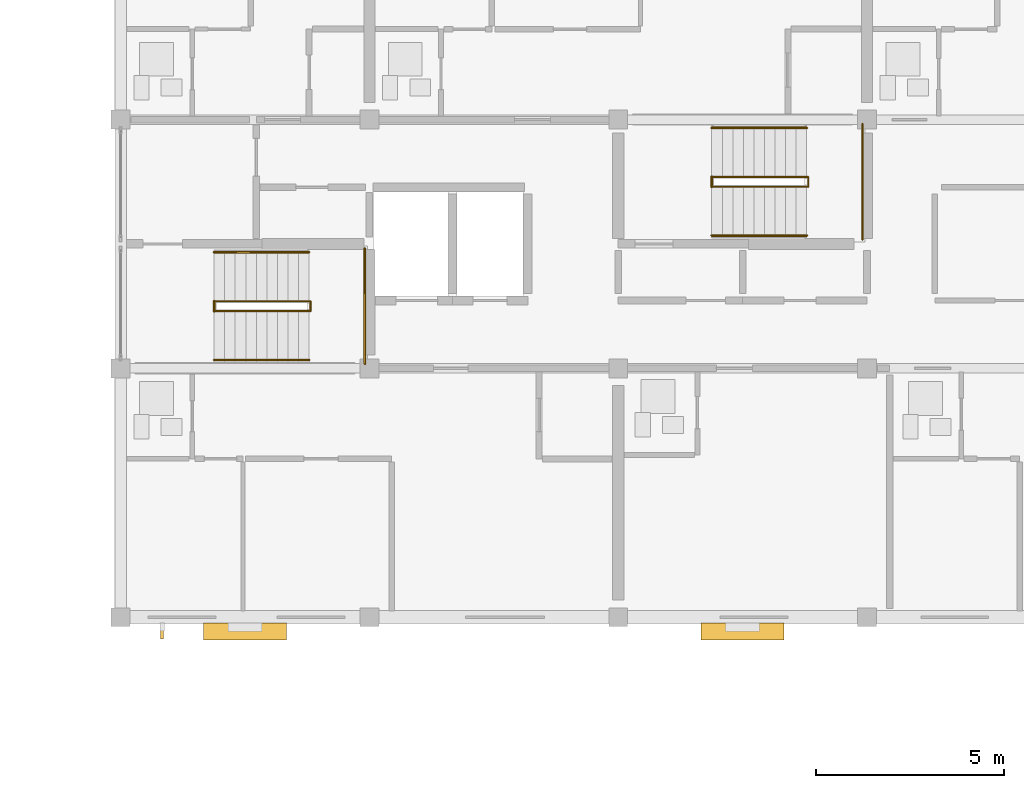
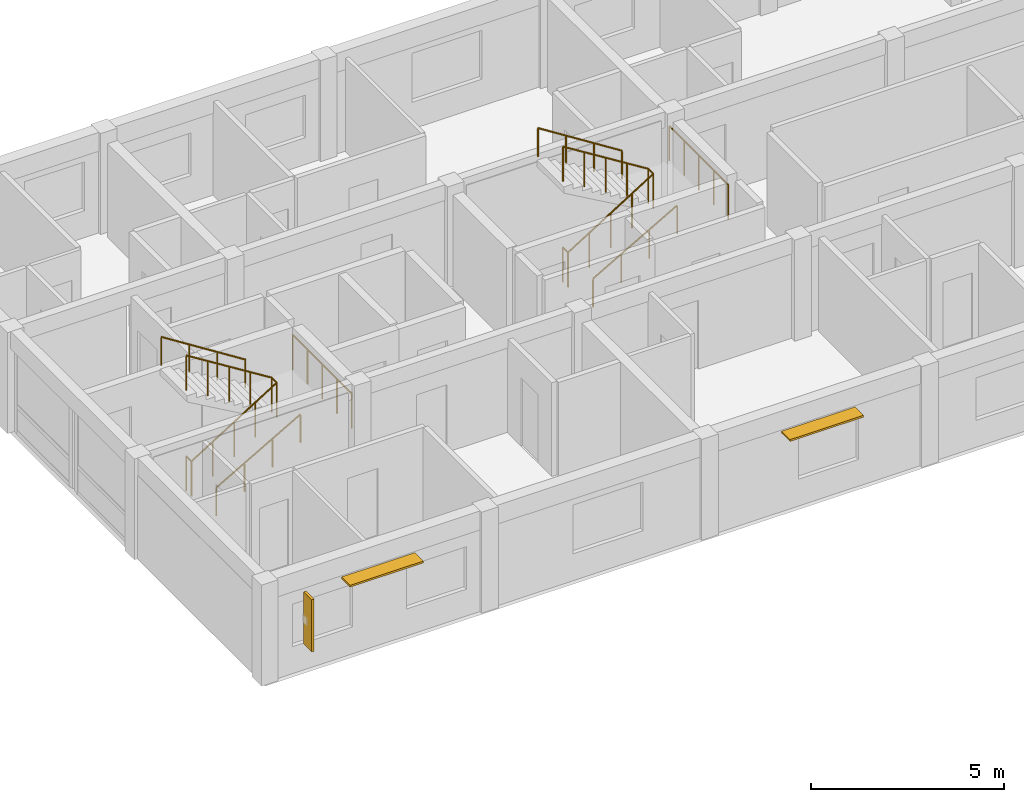
# One storey, part 51 of 53: 10 railings, 3 shading devices.
"""IFC4 building model written with IfcOpenShell, lengths in metres."""

import ifcopenshell
import ifcopenshell.guid

model = None  # the IFC model being written
_history = None  # IfcOwnerHistory: only IFC2X3 demands one
_inside = {}  # id of a spatial element -> (the spatial element, [elements in it])
_under = {}  # id of a project, library or spatial element -> (it, [spatial elements below it])
_declared = {}  # id of a project -> (the project, [libraries it declares])
_typed = {}  # id of a type object -> (the type object, [elements of that type])
_made_of = {}  # id of a material, layer set ... -> (it, [elements and type objects made of it])


def new_model(schema):
    """Start an empty IFC model of exactly this schema.

    Asked for "IFC4X3", IfcOpenShell would pick the latest addendum, in which some entities
    have other attributes; the version numbers below select the first issue.
    IFC2X3 requires an IfcOwnerHistory on every rooted entity: one is made here for all.
    """
    global model, _history
    if schema == "IFC4X3":
        model = ifcopenshell.file(schema_version=(4, 3, 0, 0))
    else:
        model = ifcopenshell.file(schema=schema)
    _inside.clear()
    _under.clear()
    _declared.clear()
    _typed.clear()
    _made_of.clear()
    _history = None
    if model.schema == "IFC2X3":
        org = make("IfcOrganization", Name="unknown")
        user = make(
            "IfcPersonAndOrganization",
            ThePerson=make("IfcPerson", FamilyName="unknown"),
            TheOrganization=org,
        )
        app = make(
            "IfcApplication",
            ApplicationDeveloper=org,
            Version="unknown",
            ApplicationFullName="unknown",
            ApplicationIdentifier="unknown",
        )
        _history = make(
            "IfcOwnerHistory",
            OwningUser=user,
            OwningApplication=app,
            ChangeAction="ADDED",
            CreationDate=0,
        )
    return model


def make(cls, **values):
    """One entity of the class cls with the attributes given. An attribute that is None is left unset."""
    return model.create_entity(
        cls, **{name: value for name, value in values.items() if value is not None}
    )


def rooted(cls, **values):
    """An entity with a GlobalId (a new one), such as an element, a storey or a relation."""
    return make(cls, GlobalId=ifcopenshell.guid.new(), OwnerHistory=_history, **values)


def si_unit(unit_type, name, prefix=None):
    """IfcSIUnit, for example si_unit("LENGTHUNIT", "METRE", prefix="MILLI")."""
    return make("IfcSIUnit", UnitType=unit_type, Prefix=prefix, Name=name)


def assignment(units):
    """IfcUnitAssignment: the units of a project."""
    return None if units is None else make("IfcUnitAssignment", Units=units)


def point(xyz):
    """IfcCartesianPoint."""
    return None if xyz is None else make("IfcCartesianPoint", Coordinates=xyz)


def direction(xyz):
    """IfcDirection."""
    return None if xyz is None else make("IfcDirection", DirectionRatios=xyz)


def frame(location, z_axis=None, x_axis=None):
    """IfcAxis2Placement3D, a coordinate frame: its origin and axes. An axis left out is left unset."""
    return make(
        "IfcAxis2Placement3D",
        Location=point(location),
        Axis=direction(z_axis),
        RefDirection=direction(x_axis),
    )


def frame_2d(location, x_axis=None):
    """IfcAxis2Placement2D, a coordinate frame in the plane: its origin and x axis."""
    return make(
        "IfcAxis2Placement2D", Location=point(location), RefDirection=direction(x_axis)
    )


def origin():
    """The frame at (0, 0, 0) with its axes left unset."""
    return frame((0.0, 0.0, 0.0))


def origin_2d():
    """The frame at (0, 0) in the plane with its x axis left unset."""
    return frame_2d((0.0, 0.0))


def place(relative_to, where):
    """IfcLocalPlacement: puts the frame where relative to a parent placement (None: the world)."""
    return make(
        "IfcLocalPlacement", PlacementRelTo=relative_to, RelativePlacement=where
    )


def context(
    kind, dimensions, precision=None, world=None, true_north=None, identifier=None
):
    """IfcGeometricRepresentationContext, for example the 3D "Model" context."""
    return make(
        "IfcGeometricRepresentationContext",
        ContextIdentifier=identifier,
        ContextType=kind,
        CoordinateSpaceDimension=dimensions,
        Precision=precision,
        WorldCoordinateSystem=world,
        TrueNorth=true_north,
    )


def subcontext(parent, identifier, kind, view, scale=None):
    """IfcGeometricRepresentationSubContext, for example "Body" below "Model"."""
    return make(
        "IfcGeometricRepresentationSubContext",
        ContextIdentifier=identifier,
        ContextType=kind,
        ParentContext=parent,
        TargetScale=scale,
        TargetView=view,
    )


def project(units=None, contexts=None):
    """IfcProject with its units and contexts."""
    return rooted(
        "IfcProject",
        Name="project",
        RepresentationContexts=contexts,
        UnitsInContext=assignment(units),
    )


def spatial(cls, under=None, at=None, **own):
    """A site, building, storey or space (cls), placed at a placement, below another one or the project."""
    s = rooted(cls, ObjectPlacement=at, **own)
    if under is not None:
        _under.setdefault(under.id(), (under, []))[1].append(s)
    return s


def profile(cls, at=None, kind="AREA", **sizes):
    """A parametric profile (cls). Its sizes go by their IFC names, for example OverallWidth=200.0."""
    return make(cls, ProfileType=kind, Position=at, **sizes)


def rectangle(**sizes):
    """IfcRectangleProfileDef."""
    return profile("IfcRectangleProfileDef", **sizes)


def circle(**sizes):
    """IfcCircleProfileDef."""
    return profile("IfcCircleProfileDef", **sizes)


def extrude(swept, where, along, depth):
    """IfcExtrudedAreaSolid: the profile swept, set in the frame where, extruded along a direction by depth."""
    return make(
        "IfcExtrudedAreaSolid",
        SweptArea=swept,
        Position=where,
        ExtrudedDirection=direction(along),
        Depth=depth,
    )


def shape(context_of_items, identifier, shape_type, items):
    """IfcShapeRepresentation: the items that make up one representation, for example the "Body"."""
    return make(
        "IfcShapeRepresentation",
        ContextOfItems=context_of_items,
        RepresentationIdentifier=identifier,
        RepresentationType=shape_type,
        Items=items,
    )


def material(Name=None, Category=None):
    """IfcMaterial."""
    return make("IfcMaterial", Name=Name, Category=Category)


def layer(
    of_material, thickness, ventilated=None, Name=None, Category=None, Priority=None
):
    """IfcMaterialLayer: one layer of a wall or slab, of a material (None: an air gap)."""
    return make(
        "IfcMaterialLayer",
        Material=of_material,
        LayerThickness=thickness,
        IsVentilated=ventilated,
        Name=Name,
        Category=Category,
        Priority=Priority,
    )


def layer_set(layers, Name=None):
    """IfcMaterialLayerSet."""
    return make("IfcMaterialLayerSet", MaterialLayers=layers, LayerSetName=Name)


def made_of(thing, what):
    """Note that an element or type object is made of a material, layer set ...; save() writes the relation."""
    if what is not None:
        _made_of.setdefault(what.id(), (what, []))[1].append(thing)
    return thing


def type_object(cls, material=None, **own):
    """A type object (cls), such as IfcWallType, which elements share."""
    return made_of(rooted(cls, **own), material)


def element(
    cls,
    number,
    at=None,
    inside=None,
    cuts=None,
    type_object=None,
    material=None,
    context=None,
    identifier="Body",
    shape_type=None,
    held_by="IfcProductDefinitionShape",
    body=None,
    shapes=None,
    **own,
):
    """One element of the class cls, such as IfcWall. Its Tag is "e" and its number.

    at: its placement. inside: the storey or other place that contains it. cuts: it is an
    opening in that element (IfcRelVoidsElement). A single representation is given by context,
    identifier, shape_type and body (its items); several are given by shapes. held_by: the class
    of the entity that holds the representations. save() writes the other relations.
    """
    e = rooted(cls, Tag="e%d" % number, ObjectPlacement=at, **own)
    if body is not None:
        shapes = [shape(context, identifier, shape_type, body)]
    if shapes is not None:
        e.Representation = make(held_by, Representations=shapes)
    if inside is not None:
        _inside.setdefault(inside.id(), (inside, []))[1].append(e)
    if cuts is not None:
        rooted(
            "IfcRelVoidsElement", RelatingBuildingElement=cuts, RelatedOpeningElement=e
        )
    if type_object is not None:
        _typed.setdefault(type_object.id(), (type_object, []))[1].append(e)
    return made_of(e, material)


def aggregate(whole, parts):
    """IfcRelAggregates: a whole, such as a stair, and the parts it consists of."""
    return rooted("IfcRelAggregates", RelatingObject=whole, RelatedObjects=parts)


def save(model, path):
    """Write the relations noted so far, then the file.

    IfcRelAggregates (storeys below a building ...), IfcRelContainedInSpatialStructure (elements
    in a storey), IfcRelDefinesByType, IfcRelAssociatesMaterial and IfcRelDeclares: one each for
    every whole, place, type object, material and project.
    """
    for whole, parts in _under.values():
        aggregate(whole, parts)
    for where, things in _inside.values():
        rooted(
            "IfcRelContainedInSpatialStructure",
            RelatedElements=things,
            RelatingStructure=where,
        )
    for kind, things in _typed.values():
        rooted("IfcRelDefinesByType", RelatedObjects=things, RelatingType=kind)
    for what, things in _made_of.values():
        rooted("IfcRelAssociatesMaterial", RelatedObjects=things, RelatingMaterial=what)
    for by, libraries in _declared.values():
        rooted("IfcRelDeclares", RelatingContext=by, RelatedDefinitions=libraries)
    model.write(path)


model = new_model("IFC4")

# Units and contexts
model_context = context("Model", 3, precision=1e-05, world=origin(), true_north=direction((0.0, 1.0)))
body_context = subcontext(model_context, "Body", "Model", "MODEL_VIEW")
ifc_project = project(units=[si_unit("LENGTHUNIT", "METRE"), si_unit("AREAUNIT", "SQUARE_METRE"), si_unit("VOLUMEUNIT", "CUBIC_METRE"), si_unit("PLANEANGLEUNIT", "RADIAN"), si_unit("MASSUNIT", "GRAM", prefix="KILO")], contexts=[model_context])

# Site, building, storey
site_placement = place(None, origin())
site = spatial("IfcSite", under=ifc_project, at=site_placement, CompositionType="ELEMENT")
building_placement = place(site_placement, origin())
building = spatial("IfcBuilding", under=site, at=building_placement, Name="Kernevlak Ridge Housing Community", CompositionType="ELEMENT")
storey_placement = place(building_placement, frame((0.0, 0.0, 24.39990234375)))
storey = spatial("IfcBuildingStorey", under=building, at=storey_placement, Name="L07", CompositionType="ELEMENT", Elevation=24.39990234375)

# Railings
ifc_material_1 = material(Name="Steel S355", Category="steel")
railing_type_1 = type_object("IfcRailingType", Name="GR-02", PredefinedType="GUARDRAIL", material=ifc_material_1)
railing_1_placement = place(storey_placement, frame((121.8798828125, 90.7099609375, 0.0)))
element("IfcRailing", 1, at=railing_1_placement, inside=storey, type_object=railing_type_1, Name="Stair ST-B1 L07 well slot guard", PredefinedType="GUARDRAIL", context=body_context, shape_type="SweptSolid", body=[
    extrude(circle(Radius=0.02392578125, at=origin_2d()), frame((0.0, 0.0, 1.09619140625), z_axis=(0.0, 1.0, 0.0), x_axis=(-1.0, 0.0, 0.0)), (0.0, 0.0, 1.0), 0.280029296875),
    extrude(circle(Radius=0.02099609375, at=origin_2d()), origin(), (0.0, 0.0, 1.0), 1.072021484375),
    extrude(circle(Radius=0.02099609375, at=origin_2d()), frame((0.0, 0.280029296875, 0.0)), (0.0, 0.0, 1.0), 1.072021484375),
])
railing_2_placement = place(storey_placement, frame((121.8798828125, 90.719970703125, 0.0)))
element("IfcRailing", 2, at=railing_2_placement, inside=storey, type_object=railing_type_1, Name="Stair ST-B1 L07 inner well guardrail", PredefinedType="GUARDRAIL", context=body_context, shape_type="SweptSolid", body=[
    extrude(circle(Radius=0.02392578125, at=origin_2d()), frame((0.0, 0.0, 1.09619140625), z_axis=(0.847989217509, 0.0, 0.530013478119), x_axis=(0.0, 1.0, 0.0)), (0.0, 0.0, 1.0), 3.01904296875),
    extrude(circle(Radius=0.02392578125, at=origin_2d()), frame((2.56005859375, 0.0, 2.6962890625), z_axis=(0.0, 1.0, 0.0), x_axis=(-1.0, 0.0, 0.0)), (0.0, 0.0, 1.0), 0.260009765625),
    extrude(circle(Radius=0.02392578125, at=origin_2d()), frame((2.56005859375, 0.260009765625, 2.6962890625), z_axis=(-0.847989217509, 0.0, 0.530013478119), x_axis=(0.0, -1.0, 0.0)), (0.0, 0.0, 1.0), 3.01904296875),
    extrude(circle(Radius=0.02099609375, at=origin_2d()), origin(), (0.0, 0.0, 1.0), 1.072021484375),
    extrude(circle(Radius=0.02099609375, at=origin_2d()), frame((0.64013671875, 0.0, 0.39990234375)), (0.0, 0.0, 1.0), 1.072021484375),
    extrude(circle(Radius=0.02099609375, at=origin_2d()), frame((1.280029296875, 0.0, 0.800048828125)), (0.0, 0.0, 1.0), 1.072021484375),
    extrude(circle(Radius=0.02099609375, at=origin_2d()), frame((1.919921875, 0.0, 1.2001953125)), (0.0, 0.0, 1.0), 1.072021484375),
    extrude(circle(Radius=0.02099609375, at=origin_2d()), frame((2.56005859375, 0.0, 1.60009765625)), (0.0, 0.0, 1.0), 1.072021484375),
    extrude(circle(Radius=0.02099609375, at=origin_2d()), frame((2.56005859375, 0.260009765625, 1.60009765625)), (0.0, 0.0, 1.0), 1.072021484375),
    extrude(circle(Radius=0.02099609375, at=origin_2d()), frame((1.919921875, 0.260009765625, 2.0)), (0.0, 0.0, 1.0), 1.072021484375),
    extrude(circle(Radius=0.02099609375, at=origin_2d()), frame((1.280029296875, 0.260009765625, 2.400146484375)), (0.0, 0.0, 1.0), 1.072021484375),
    extrude(circle(Radius=0.02099609375, at=origin_2d()), frame((0.64013671875, 0.260009765625, 2.80029296875)), (0.0, 0.0, 1.0), 1.072021484375),
    extrude(circle(Radius=0.02099609375, at=origin_2d()), frame((0.0, 0.260009765625, 3.2001953125)), (0.0, 0.0, 1.0), 1.072021484375),
])
railing_3_placement = place(storey_placement, frame((125.8798828125, 89.320068359375, 1.60009765625)))
element("IfcRailing", 3, at=railing_3_placement, inside=storey, type_object=railing_type_1, Name="Stair ST-B1 L07 half-landing guard", PredefinedType="GUARDRAIL", context=body_context, shape_type="SweptSolid", body=[
    extrude(circle(Radius=0.02392578125, at=origin_2d()), frame((0.0, 0.0, 1.09619140625), z_axis=(0.0, 1.0, 0.0), x_axis=(-1.0, 0.0, 0.0)), (0.0, 0.0, 1.0), 3.059814453125),
    extrude(circle(Radius=0.02099609375, at=origin_2d()), origin(), (0.0, 0.0, 1.0), 1.072021484375),
    extrude(circle(Radius=0.02099609375, at=origin_2d()), frame((0.0, 0.764892578125, 0.0)), (0.0, 0.0, 1.0), 1.072021484375),
    extrude(circle(Radius=0.02099609375, at=origin_2d()), frame((0.0, 1.52978515625, 0.0)), (0.0, 0.0, 1.0), 1.072021484375),
    extrude(circle(Radius=0.02099609375, at=origin_2d()), frame((0.0, 2.294921875, 0.0)), (0.0, 0.0, 1.0), 1.072021484375),
    extrude(circle(Radius=0.02099609375, at=origin_2d()), frame((0.0, 3.059814453125, 0.0)), (0.0, 0.0, 1.0), 1.072021484375),
])
railing_4_placement = place(storey_placement, frame((135.080078125, 94.010009765625, 0.0)))
element("IfcRailing", 4, at=railing_4_placement, inside=storey, type_object=railing_type_1, Name="Stair ST-B2 L07 well slot guard", PredefinedType="GUARDRAIL", context=body_context, shape_type="SweptSolid", body=[
    extrude(circle(Radius=0.02392578125, at=origin_2d()), frame((0.0, 0.0, 1.09619140625), z_axis=(0.0, 1.0, 0.0), x_axis=(-1.0, 0.0, 0.0)), (0.0, 0.0, 1.0), 0.280029296875),
    extrude(circle(Radius=0.02099609375, at=origin_2d()), origin(), (0.0, 0.0, 1.0), 1.072021484375),
    extrude(circle(Radius=0.02099609375, at=origin_2d()), frame((0.0, 0.280029296875, 0.0)), (0.0, 0.0, 1.0), 1.072021484375),
])
railing_5_placement = place(storey_placement, frame((135.080078125, 94.02001953125, 0.0)))
element("IfcRailing", 5, at=railing_5_placement, inside=storey, type_object=railing_type_1, Name="Stair ST-B2 L07 inner well guardrail", PredefinedType="GUARDRAIL", context=body_context, shape_type="SweptSolid", body=[
    extrude(circle(Radius=0.02392578125, at=origin_2d()), frame((0.0, 0.0, 1.09619140625), z_axis=(0.847966497998, 0.0, 0.530049826217), x_axis=(0.0, 1.0, 0.0)), (0.0, 0.0, 1.0), 3.018798828125),
    extrude(circle(Radius=0.02392578125, at=origin_2d()), frame((2.559814453125, 0.0, 2.6962890625), z_axis=(0.0, 1.0, 0.0), x_axis=(-1.0, 0.0, 0.0)), (0.0, 0.0, 1.0), 0.260009765625),
    extrude(circle(Radius=0.02392578125, at=origin_2d()), frame((2.559814453125, 0.260009765625, 2.6962890625), z_axis=(-0.847966497998, 0.0, 0.530049826217), x_axis=(0.0, -1.0, 0.0)), (0.0, 0.0, 1.0), 3.018798828125),
    extrude(circle(Radius=0.02099609375, at=origin_2d()), origin(), (0.0, 0.0, 1.0), 1.072021484375),
    extrude(circle(Radius=0.02099609375, at=origin_2d()), frame((0.639892578125, 0.0, 0.39990234375)), (0.0, 0.0, 1.0), 1.072021484375),
    extrude(circle(Radius=0.02099609375, at=origin_2d()), frame((1.27978515625, 0.0, 0.800048828125)), (0.0, 0.0, 1.0), 1.072021484375),
    extrude(circle(Radius=0.02099609375, at=origin_2d()), frame((1.919921875, 0.0, 1.2001953125)), (0.0, 0.0, 1.0), 1.072021484375),
    extrude(circle(Radius=0.02099609375, at=origin_2d()), frame((2.559814453125, 0.0, 1.60009765625)), (0.0, 0.0, 1.0), 1.072021484375),
    extrude(circle(Radius=0.02099609375, at=origin_2d()), frame((2.559814453125, 0.260009765625, 1.60009765625)), (0.0, 0.0, 1.0), 1.072021484375),
    extrude(circle(Radius=0.02099609375, at=origin_2d()), frame((1.919921875, 0.260009765625, 2.0)), (0.0, 0.0, 1.0), 1.072021484375),
    extrude(circle(Radius=0.02099609375, at=origin_2d()), frame((1.27978515625, 0.260009765625, 2.400146484375)), (0.0, 0.0, 1.0), 1.072021484375),
    extrude(circle(Radius=0.02099609375, at=origin_2d()), frame((0.639892578125, 0.260009765625, 2.80029296875)), (0.0, 0.0, 1.0), 1.072021484375),
    extrude(circle(Radius=0.02099609375, at=origin_2d()), frame((0.0, 0.260009765625, 3.2001953125)), (0.0, 0.0, 1.0), 1.072021484375),
])
railing_6_placement = place(storey_placement, frame((139.080078125, 92.6201171875, 1.60009765625)))
element("IfcRailing", 6, at=railing_6_placement, inside=storey, type_object=railing_type_1, Name="Stair ST-B2 L07 half-landing guard", PredefinedType="GUARDRAIL", context=body_context, shape_type="SweptSolid", body=[
    extrude(circle(Radius=0.02392578125, at=origin_2d()), frame((0.0, 0.0, 1.09619140625), z_axis=(0.0, 1.0, 0.0), x_axis=(-1.0, 0.0, 0.0)), (0.0, 0.0, 1.0), 3.059814453125),
    extrude(circle(Radius=0.02099609375, at=origin_2d()), origin(), (0.0, 0.0, 1.0), 1.072021484375),
    extrude(circle(Radius=0.02099609375, at=origin_2d()), frame((0.0, 0.764892578125, 0.0)), (0.0, 0.0, 1.0), 1.072021484375),
    extrude(circle(Radius=0.02099609375, at=origin_2d()), frame((0.0, 1.52978515625, 0.0)), (0.0, 0.0, 1.0), 1.072021484375),
    extrude(circle(Radius=0.02099609375, at=origin_2d()), frame((0.0, 2.294921875, 0.0)), (0.0, 0.0, 1.0), 1.072021484375),
    extrude(circle(Radius=0.02099609375, at=origin_2d()), frame((0.0, 3.059814453125, 0.0)), (0.0, 0.0, 1.0), 1.072021484375),
])
ifc_material_2 = material(Name="Stainless steel EN 1.4401", Category="steel")
railing_type_2 = type_object("IfcRailingType", Name="HR-01", PredefinedType="HANDRAIL", material=ifc_material_2)
railing_7_placement = place(storey_placement, frame((121.8798828125, 89.419921875, 0.16015625)))
element("IfcRailing", 7, at=railing_7_placement, inside=storey, type_object=railing_type_2, Name="Stair ST-B1 L07 flight 1 handrail", PredefinedType="HANDRAIL", context=body_context, shape_type="SweptSolid", body=[
    extrude(circle(Radius=0.02392578125, at=origin_2d()), frame((0.0, 0.0, 0.89599609375), z_axis=(0.868253494771, 0.0, 0.496120820787), x_axis=(0.0, 1.0, 0.0)), (0.0, 0.0, 1.0), 2.90234375),
    extrude(circle(Radius=0.02099609375, at=origin_2d()), origin(), (0.0, 0.0, 1.0), 0.871826171875),
    extrude(circle(Radius=0.02099609375, at=origin_2d()), frame((0.840087890625, 0.0, 0.47998046875)), (0.0, 0.0, 1.0), 0.871826171875),
    extrude(circle(Radius=0.02099609375, at=origin_2d()), frame((1.679931640625, 0.0, 0.9599609375)), (0.0, 0.0, 1.0), 0.871826171875),
    extrude(circle(Radius=0.02099609375, at=origin_2d()), frame((2.52001953125, 0.0, 1.43994140625)), (0.0, 0.0, 1.0), 0.871826171875),
])
railing_8_placement = place(storey_placement, frame((124.39990234375, 92.280029296875, 1.60009765625)))
element("IfcRailing", 8, at=railing_8_placement, inside=storey, type_object=railing_type_2, Name="Stair ST-B1 L07 flight 2 handrail", PredefinedType="HANDRAIL", context=body_context, shape_type="SweptSolid", body=[
    extrude(circle(Radius=0.02392578125, at=origin_2d()), frame((0.0, 0.0, 0.89599609375), z_axis=(-0.844199891302, 0.0, 0.536028491338), x_axis=(0.0, -1.0, 0.0)), (0.0, 0.0, 1.0), 2.985107421875),
    extrude(circle(Radius=0.02099609375, at=origin_2d()), origin(), (0.0, 0.0, 1.0), 0.871826171875),
    extrude(circle(Radius=0.02099609375, at=origin_2d()), frame((-0.840087890625, 0.0, 0.533447265625)), (0.0, 0.0, 1.0), 0.871826171875),
    extrude(circle(Radius=0.02099609375, at=origin_2d()), frame((-1.679931640625, 0.0, 1.066650390625)), (0.0, 0.0, 1.0), 0.871826171875),
    extrude(circle(Radius=0.02099609375, at=origin_2d()), frame((-2.52001953125, 0.0, 1.60009765625)), (0.0, 0.0, 1.0), 0.871826171875),
])
railing_9_placement = place(storey_placement, frame((135.080078125, 92.719970703125, 0.16015625)))
element("IfcRailing", 9, at=railing_9_placement, inside=storey, type_object=railing_type_2, Name="Stair ST-B2 L07 flight 1 handrail", PredefinedType="HANDRAIL", context=body_context, shape_type="SweptSolid", body=[
    extrude(circle(Radius=0.02392578125, at=origin_2d()), frame((0.0, 0.0, 0.89599609375), z_axis=(0.868253494771, 0.0, 0.496120820787), x_axis=(0.0, 1.0, 0.0)), (0.0, 0.0, 1.0), 2.90234375),
    extrude(circle(Radius=0.02099609375, at=origin_2d()), origin(), (0.0, 0.0, 1.0), 0.871826171875),
    extrude(circle(Radius=0.02099609375, at=origin_2d()), frame((0.840087890625, 0.0, 0.47998046875)), (0.0, 0.0, 1.0), 0.871826171875),
    extrude(circle(Radius=0.02099609375, at=origin_2d()), frame((1.679931640625, 0.0, 0.9599609375)), (0.0, 0.0, 1.0), 0.871826171875),
    extrude(circle(Radius=0.02099609375, at=origin_2d()), frame((2.52001953125, 0.0, 1.43994140625)), (0.0, 0.0, 1.0), 0.871826171875),
])
railing_10_placement = place(storey_placement, frame((137.60009765625, 95.580078125, 1.60009765625)))
element("IfcRailing", 10, at=railing_10_placement, inside=storey, type_object=railing_type_2, Name="Stair ST-B2 L07 flight 2 handrail", PredefinedType="HANDRAIL", context=body_context, shape_type="SweptSolid", body=[
    extrude(circle(Radius=0.02392578125, at=origin_2d()), frame((0.0, 0.0, 0.89599609375), z_axis=(-0.844199891302, 0.0, 0.536028491338), x_axis=(0.0, -1.0, 0.0)), (0.0, 0.0, 1.0), 2.985107421875),
    extrude(circle(Radius=0.02099609375, at=origin_2d()), origin(), (0.0, 0.0, 1.0), 0.871826171875),
    extrude(circle(Radius=0.02099609375, at=origin_2d()), frame((-0.840087890625, 0.0, 0.533447265625)), (0.0, 0.0, 1.0), 0.871826171875),
    extrude(circle(Radius=0.02099609375, at=origin_2d()), frame((-1.679931640625, 0.0, 1.066650390625)), (0.0, 0.0, 1.0), 0.871826171875),
    extrude(circle(Radius=0.02099609375, at=origin_2d()), frame((-2.52001953125, 0.0, 1.60009765625)), (0.0, 0.0, 1.0), 0.871826171875),
])

# Shading devices
ifc_material_3 = material(Name="Aluminium EN AW-6060 anodised", Category="aluminium")
ifc_layer = layer(ifc_material_3, 0.06005859375, Name="Aluminium EN AW-6060 anodised")
ifc_layer_set = layer_set([ifc_layer], Name="Aluminium EN AW-6060 anodised")
shading_device_type_1 = type_object("IfcShadingDeviceType", Name="LV-01", PredefinedType="JALOUSIE", material=ifc_layer_set)
for number, where, z_axis, x_axis, name in (
    (11, (122.699951171875, 82.219970703125, 2.489990234375), (0.0, 0.0, 1.0), (1.0, 0.0, 0.0), "Horizontal solar louvre 21"),
    (12, (135.89990234375, 82.219970703125, 2.489990234375), (0.0, 0.0, 1.0), (1.0, 0.0, 0.0), "Horizontal solar louvre 22"),
):
    element("IfcShadingDevice", number, at=place(storey_placement, frame(where, z_axis=z_axis, x_axis=x_axis)), inside=storey, type_object=shading_device_type_1, Name=name, PredefinedType="JALOUSIE", context=body_context, shape_type="SweptSolid", body=[
        extrude(rectangle(XDim=2.199951171875, YDim=0.43994140625, at=origin_2d()), origin(), (0.0, 0.0, 1.0), 0.06005859375),
    ])
ifc_material_4 = material(Name="Aluminium EN AW-6060 enamelled", Category="aluminium")
shading_device_type_2 = type_object("IfcShadingDeviceType", Name="LV-02", PredefinedType="USERDEFINED", material=ifc_material_4)
shading_device_placement = place(storey_placement, frame((120.5, 82.22998046875, 0.8251953125), z_axis=(0.0, 0.0, 1.0), x_axis=(1.0, 0.0, 0.0)))
element("IfcShadingDevice", 13, at=shading_device_placement, inside=storey, type_object=shading_device_type_2, Name="De Stijl yellow vertical solar fin 21", ObjectType="LOUVRE", PredefinedType="USERDEFINED", context=body_context, shape_type="SweptSolid", body=[
    extrude(rectangle(XDim=0.080078125, YDim=0.419921875, at=origin_2d()), origin(), (0.0, 0.0, 1.0), 1.64990234375),
])

save(model, "model.ifc")
